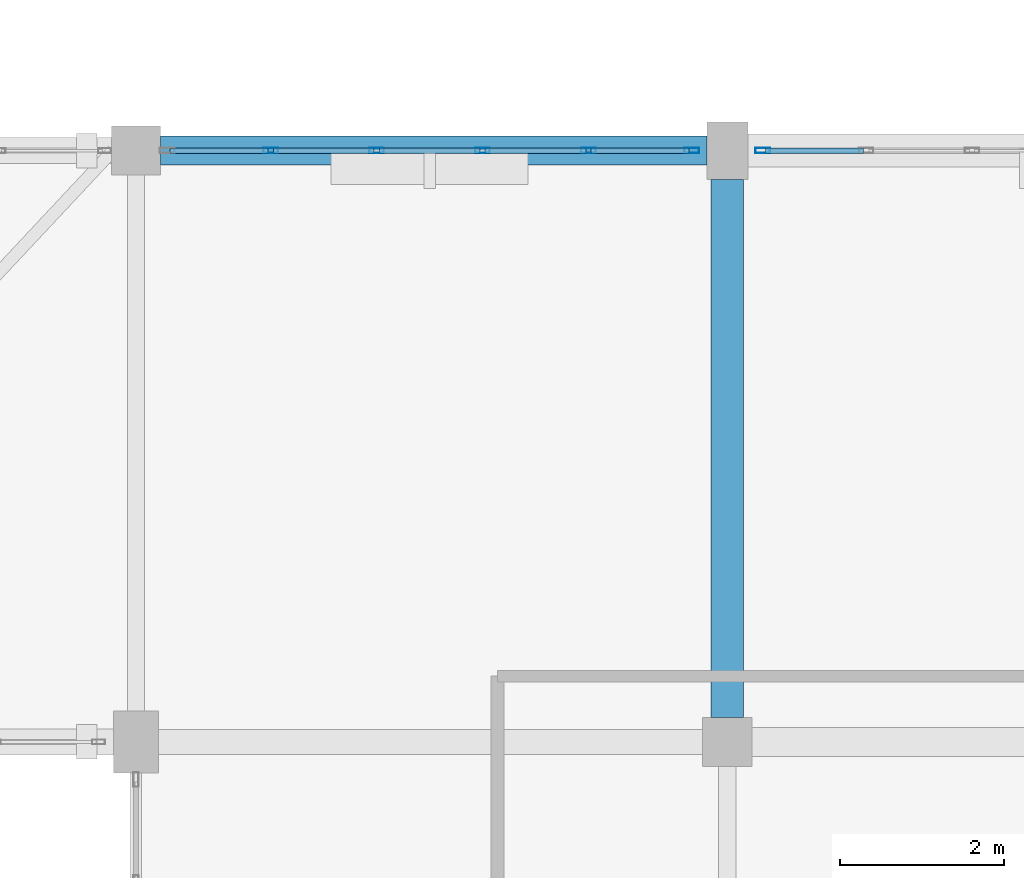
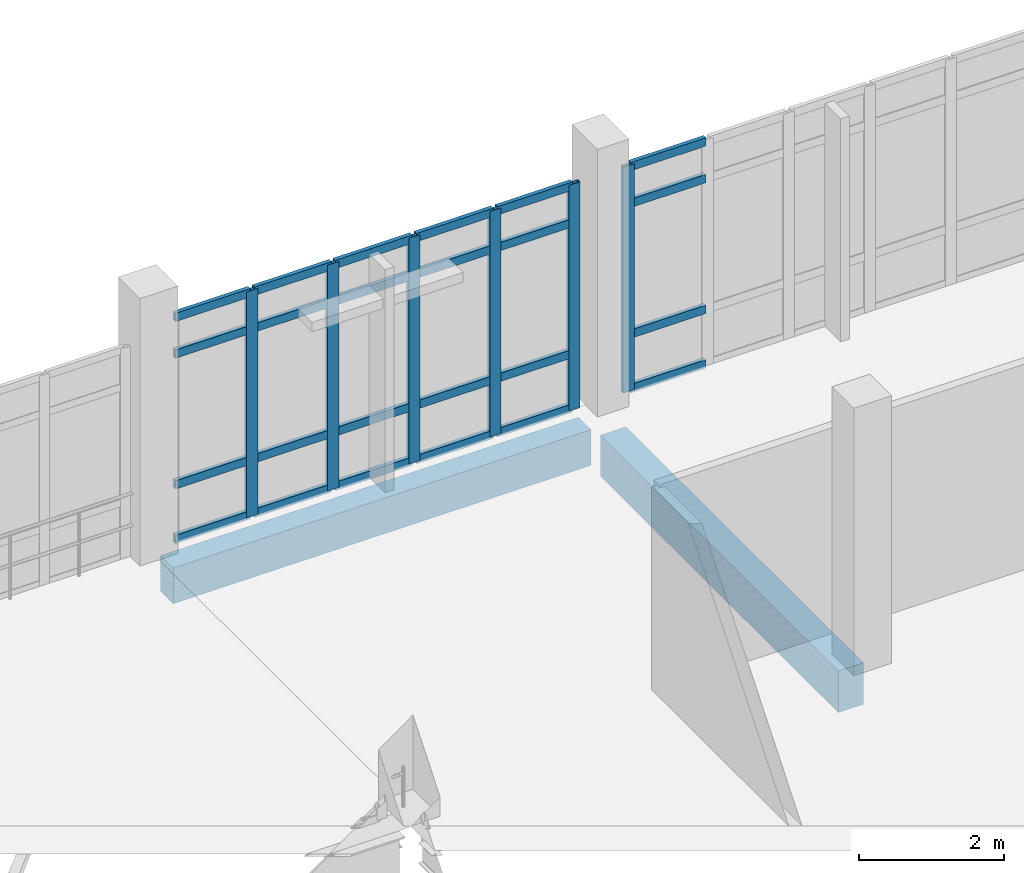
# One storey, part 50 of 124: 30 members, 2 beams, 2 elements without a shape of their own.
"""IFC4 building model written with IfcOpenShell, lengths in metres."""

import ifcopenshell
import ifcopenshell.guid

model = None  # the IFC model being written
_history = None  # IfcOwnerHistory: only IFC2X3 demands one
_inside = {}  # id of a spatial element -> (the spatial element, [elements in it])
_under = {}  # id of a project, library or spatial element -> (it, [spatial elements below it])
_declared = {}  # id of a project -> (the project, [libraries it declares])
_typed = {}  # id of a type object -> (the type object, [elements of that type])
_made_of = {}  # id of a material, layer set ... -> (it, [elements and type objects made of it])


def new_model(schema):
    """Start an empty IFC model of exactly this schema.

    Asked for "IFC4X3", IfcOpenShell would pick the latest addendum, in which some entities
    have other attributes; the version numbers below select the first issue.
    IFC2X3 requires an IfcOwnerHistory on every rooted entity: one is made here for all.
    """
    global model, _history
    if schema == "IFC4X3":
        model = ifcopenshell.file(schema_version=(4, 3, 0, 0))
    else:
        model = ifcopenshell.file(schema=schema)
    _inside.clear()
    _under.clear()
    _declared.clear()
    _typed.clear()
    _made_of.clear()
    _history = None
    if model.schema == "IFC2X3":
        org = make("IfcOrganization", Name="unknown")
        user = make(
            "IfcPersonAndOrganization",
            ThePerson=make("IfcPerson", FamilyName="unknown"),
            TheOrganization=org,
        )
        app = make(
            "IfcApplication",
            ApplicationDeveloper=org,
            Version="unknown",
            ApplicationFullName="unknown",
            ApplicationIdentifier="unknown",
        )
        _history = make(
            "IfcOwnerHistory",
            OwningUser=user,
            OwningApplication=app,
            ChangeAction="ADDED",
            CreationDate=0,
        )
    return model


def make(cls, **values):
    """One entity of the class cls with the attributes given. An attribute that is None is left unset."""
    return model.create_entity(
        cls, **{name: value for name, value in values.items() if value is not None}
    )


def rooted(cls, **values):
    """An entity with a GlobalId (a new one), such as an element, a storey or a relation."""
    return make(cls, GlobalId=ifcopenshell.guid.new(), OwnerHistory=_history, **values)


def si_unit(unit_type, name, prefix=None):
    """IfcSIUnit, for example si_unit("LENGTHUNIT", "METRE", prefix="MILLI")."""
    return make("IfcSIUnit", UnitType=unit_type, Prefix=prefix, Name=name)


def assignment(units):
    """IfcUnitAssignment: the units of a project."""
    return None if units is None else make("IfcUnitAssignment", Units=units)


def point(xyz):
    """IfcCartesianPoint."""
    return None if xyz is None else make("IfcCartesianPoint", Coordinates=xyz)


def direction(xyz):
    """IfcDirection."""
    return None if xyz is None else make("IfcDirection", DirectionRatios=xyz)


def frame(location, z_axis=None, x_axis=None):
    """IfcAxis2Placement3D, a coordinate frame: its origin and axes. An axis left out is left unset."""
    return make(
        "IfcAxis2Placement3D",
        Location=point(location),
        Axis=direction(z_axis),
        RefDirection=direction(x_axis),
    )


def frame_2d(location, x_axis=None):
    """IfcAxis2Placement2D, a coordinate frame in the plane: its origin and x axis."""
    return make(
        "IfcAxis2Placement2D", Location=point(location), RefDirection=direction(x_axis)
    )


def origin():
    """The frame at (0, 0, 0) with its axes left unset."""
    return frame((0.0, 0.0, 0.0))


def origin_2d():
    """The frame at (0, 0) in the plane with its x axis left unset."""
    return frame_2d((0.0, 0.0))


def place(relative_to, where):
    """IfcLocalPlacement: puts the frame where relative to a parent placement (None: the world)."""
    return make(
        "IfcLocalPlacement", PlacementRelTo=relative_to, RelativePlacement=where
    )


def context(
    kind, dimensions, precision=None, world=None, true_north=None, identifier=None
):
    """IfcGeometricRepresentationContext, for example the 3D "Model" context."""
    return make(
        "IfcGeometricRepresentationContext",
        ContextIdentifier=identifier,
        ContextType=kind,
        CoordinateSpaceDimension=dimensions,
        Precision=precision,
        WorldCoordinateSystem=world,
        TrueNorth=true_north,
    )


def subcontext(parent, identifier, kind, view, scale=None):
    """IfcGeometricRepresentationSubContext, for example "Body" below "Model"."""
    return make(
        "IfcGeometricRepresentationSubContext",
        ContextIdentifier=identifier,
        ContextType=kind,
        ParentContext=parent,
        TargetScale=scale,
        TargetView=view,
    )


def project(units=None, contexts=None):
    """IfcProject with its units and contexts."""
    return rooted(
        "IfcProject",
        Name="project",
        RepresentationContexts=contexts,
        UnitsInContext=assignment(units),
    )


def spatial(cls, under=None, at=None, **own):
    """A site, building, storey or space (cls), placed at a placement, below another one or the project."""
    s = rooted(cls, ObjectPlacement=at, **own)
    if under is not None:
        _under.setdefault(under.id(), (under, []))[1].append(s)
    return s


def profile(cls, at=None, kind="AREA", **sizes):
    """A parametric profile (cls). Its sizes go by their IFC names, for example OverallWidth=200.0."""
    return make(cls, ProfileType=kind, Position=at, **sizes)


def rectangle(**sizes):
    """IfcRectangleProfileDef."""
    return profile("IfcRectangleProfileDef", **sizes)


def hollow_rectangle(**sizes):
    """IfcRectangleHollowProfileDef."""
    return profile("IfcRectangleHollowProfileDef", **sizes)


def extrude(swept, where, along, depth):
    """IfcExtrudedAreaSolid: the profile swept, set in the frame where, extruded along a direction by depth."""
    return make(
        "IfcExtrudedAreaSolid",
        SweptArea=swept,
        Position=where,
        ExtrudedDirection=direction(along),
        Depth=depth,
    )


def shape(context_of_items, identifier, shape_type, items):
    """IfcShapeRepresentation: the items that make up one representation, for example the "Body"."""
    return make(
        "IfcShapeRepresentation",
        ContextOfItems=context_of_items,
        RepresentationIdentifier=identifier,
        RepresentationType=shape_type,
        Items=items,
    )


def material(Name=None, Category=None):
    """IfcMaterial."""
    return make("IfcMaterial", Name=Name, Category=Category)


def material_profile(
    of_material, cross_section, Name=None, Category=None, Priority=None
):
    """IfcMaterialProfile: a cross section and its material."""
    return make(
        "IfcMaterialProfile",
        Name=Name,
        Material=of_material,
        Profile=cross_section,
        Priority=Priority,
        Category=Category,
    )


def profile_set(profiles, Name=None, composite=None):
    """IfcMaterialProfileSet."""
    return make(
        "IfcMaterialProfileSet",
        Name=Name,
        MaterialProfiles=profiles,
        CompositeProfile=composite,
    )


def made_of(thing, what):
    """Note that an element or type object is made of a material, layer set ...; save() writes the relation."""
    if what is not None:
        _made_of.setdefault(what.id(), (what, []))[1].append(thing)
    return thing


def type_object(cls, material=None, **own):
    """A type object (cls), such as IfcWallType, which elements share."""
    return made_of(rooted(cls, **own), material)


def element(
    cls,
    number,
    at=None,
    inside=None,
    cuts=None,
    type_object=None,
    material=None,
    context=None,
    identifier="Body",
    shape_type=None,
    held_by="IfcProductDefinitionShape",
    body=None,
    shapes=None,
    **own,
):
    """One element of the class cls, such as IfcWall. Its Tag is "e" and its number.

    at: its placement. inside: the storey or other place that contains it. cuts: it is an
    opening in that element (IfcRelVoidsElement). A single representation is given by context,
    identifier, shape_type and body (its items); several are given by shapes. held_by: the class
    of the entity that holds the representations. save() writes the other relations.
    """
    e = rooted(cls, Tag="e%d" % number, ObjectPlacement=at, **own)
    if body is not None:
        shapes = [shape(context, identifier, shape_type, body)]
    if shapes is not None:
        e.Representation = make(held_by, Representations=shapes)
    if inside is not None:
        _inside.setdefault(inside.id(), (inside, []))[1].append(e)
    if cuts is not None:
        rooted(
            "IfcRelVoidsElement", RelatingBuildingElement=cuts, RelatedOpeningElement=e
        )
    if type_object is not None:
        _typed.setdefault(type_object.id(), (type_object, []))[1].append(e)
    return made_of(e, material)


def aggregate(whole, parts):
    """IfcRelAggregates: a whole, such as a stair, and the parts it consists of."""
    return rooted("IfcRelAggregates", RelatingObject=whole, RelatedObjects=parts)


def save(model, path):
    """Write the relations noted so far, then the file.

    IfcRelAggregates (storeys below a building ...), IfcRelContainedInSpatialStructure (elements
    in a storey), IfcRelDefinesByType, IfcRelAssociatesMaterial and IfcRelDeclares: one each for
    every whole, place, type object, material and project.
    """
    for whole, parts in _under.values():
        aggregate(whole, parts)
    for where, things in _inside.values():
        rooted(
            "IfcRelContainedInSpatialStructure",
            RelatedElements=things,
            RelatingStructure=where,
        )
    for kind, things in _typed.values():
        rooted("IfcRelDefinesByType", RelatedObjects=things, RelatingType=kind)
    for what, things in _made_of.values():
        rooted("IfcRelAssociatesMaterial", RelatedObjects=things, RelatingMaterial=what)
    for by, libraries in _declared.values():
        rooted("IfcRelDeclares", RelatingContext=by, RelatedDefinitions=libraries)
    model.write(path)


model = new_model("IFC4")

# Units and contexts
model_context = context("Model", 3, precision=1e-05, world=origin(), true_north=direction((0.0, 1.0)))
body_context = subcontext(model_context, "Body", "Model", "MODEL_VIEW")
ifc_project = project(units=[si_unit("LENGTHUNIT", "METRE"), si_unit("AREAUNIT", "SQUARE_METRE"), si_unit("VOLUMEUNIT", "CUBIC_METRE"), si_unit("PLANEANGLEUNIT", "RADIAN"), si_unit("MASSUNIT", "GRAM", prefix="KILO")], contexts=[model_context])

# Site, building, storey
site_placement = place(None, origin())
site = spatial("IfcSite", under=ifc_project, at=site_placement, CompositionType="ELEMENT")
building_placement = place(site_placement, origin())
building = spatial("IfcBuilding", under=site, at=building_placement, Name="Kalluvel Institute of Natural Sciences", CompositionType="ELEMENT")
storey_placement = place(building_placement, frame((0.0, 0.0, 9.89990234375)))
storey = spatial("IfcBuildingStorey", under=building, at=storey_placement, Name="L02", CompositionType="ELEMENT", Elevation=9.89990234375)

# Beam
ifc_material_1 = material(Name="Concrete M40", Category="concrete")
ifc_material_profile_1 = material_profile(ifc_material_1, rectangle(XDim=0.39990234375, YDim=0.699951171875, at=origin_2d()), Name="RCB 400x700")
ifc_profile_set_1 = profile_set([ifc_material_profile_1], Name="Concrete M40")
beam_type_1 = type_object("IfcBeamType", Name="BM-RC400x700", PredefinedType="BEAM", material=ifc_profile_set_1)
beam_1_placement = place(storey_placement, frame((107.60009765625, 28.699951171875, -0.669921875), z_axis=(0.0, 1.0, 0.0), x_axis=(-1.0, 0.0, 0.0)))
element("IfcBeam", 1, at=beam_1_placement, inside=storey, type_object=beam_type_1, Name="L02 girder GIR-L02-NS-X1076-Y284", PredefinedType="BEAM", context=body_context, shape_type="SweptSolid", body=[
    extrude(rectangle(XDim=0.39990234375, YDim=0.699951171875, at=origin_2d()), origin(), (0.0, 0.0, 1.0), 6.550048828125),
])

# Curtain wall, members
ifc_material_2 = material(Name="Aluminium AW-6063 T6", Category="aluminium")
curtain_wall_type = type_object("IfcCurtainWallType", Name="CW-SPAV-45", PredefinedType="USERDEFINED", material=ifc_material_2)
curtain_wall_1_placement = place(storey_placement, origin())
curtain_wall_1 = element("IfcCurtainWall", 2, at=curtain_wall_1_placement, inside=storey, type_object=curtain_wall_type, Name="L02 Gothic lancet curtain wall CWA-L02-X1008-Y356", ObjectType="UNITISED LANCET FACADE", PredefinedType="USERDEFINED")
ifc_material_profile_2 = material_profile(ifc_material_2, hollow_rectangle(XDim=0.06494140625, YDim=0.179931640625, WallThickness=0.00439453125, at=origin_2d()), Name="CWM 65x180")
ifc_profile_set_2 = profile_set([ifc_material_profile_2], Name="Aluminium AW-6063 T6")
member_type_1 = type_object("IfcMemberType", Name="CWM-65x180", PredefinedType="MULLION", material=ifc_profile_set_2)
member_1_placement = place(storey_placement, frame((102.0400390625, 35.60009765625, 0.0), z_axis=(0.0, 0.0, 1.0), x_axis=(0.0, 1.0, 0.0)))
member_1 = element("IfcMember", 3, at=member_1_placement, type_object=member_type_1, Name="CW-10 mullion 2", PredefinedType="MULLION", context=body_context, shape_type="SweptSolid", body=[
    extrude(hollow_rectangle(XDim=0.06494140625, YDim=0.179931640625, WallThickness=0.00439453125, at=origin_2d()), origin(), (0.0, 0.0, 1.0), 3.800048828125),
])
member_2_placement = place(storey_placement, frame((103.330078125, 35.60009765625, 0.0), z_axis=(0.0, 0.0, 1.0), x_axis=(0.0, 1.0, 0.0)))
member_2 = element("IfcMember", 4, at=member_2_placement, type_object=member_type_1, Name="CW-10 mullion 3", PredefinedType="MULLION", context=body_context, shape_type="SweptSolid", body=[
    extrude(hollow_rectangle(XDim=0.06494140625, YDim=0.179931640625, WallThickness=0.00439453125, at=origin_2d()), origin(), (0.0, 0.0, 1.0), 3.800048828125),
])
member_3_placement = place(storey_placement, frame((104.6201171875, 35.60009765625, 0.0), z_axis=(0.0, 0.0, 1.0), x_axis=(0.0, 1.0, 0.0)))
member_3 = element("IfcMember", 5, at=member_3_placement, type_object=member_type_1, Name="CW-10 mullion 4", PredefinedType="MULLION", context=body_context, shape_type="SweptSolid", body=[
    extrude(hollow_rectangle(XDim=0.06494140625, YDim=0.179931640625, WallThickness=0.00439453125, at=origin_2d()), origin(), (0.0, 0.0, 1.0), 3.800048828125),
])
member_4_placement = place(storey_placement, frame((105.909912109375, 35.60009765625, 0.0), z_axis=(0.0, 0.0, 1.0), x_axis=(0.0, 1.0, 0.0)))
member_4 = element("IfcMember", 6, at=member_4_placement, type_object=member_type_1, Name="CW-10 mullion 5", PredefinedType="MULLION", context=body_context, shape_type="SweptSolid", body=[
    extrude(hollow_rectangle(XDim=0.06494140625, YDim=0.179931640625, WallThickness=0.00439453125, at=origin_2d()), origin(), (0.0, 0.0, 1.0), 3.800048828125),
])
member_5_placement = place(storey_placement, frame((107.16748046875, 35.60009765625, 0.0), z_axis=(0.0, 0.0, 1.0), x_axis=(0.0, 1.0, 0.0)))
member_5 = element("IfcMember", 7, at=member_5_placement, type_object=member_type_1, Name="CW-10 mullion 6", PredefinedType="MULLION", context=body_context, shape_type="SweptSolid", body=[
    extrude(hollow_rectangle(XDim=0.06494140625, YDim=0.179931640625, WallThickness=0.00439453125, at=origin_2d()), origin(), (0.0, 0.0, 1.0), 3.800048828125),
])

# Curtain wall, member
curtain_wall_2_placement = place(storey_placement, origin())
curtain_wall_2 = element("IfcCurtainWall", 8, at=curtain_wall_2_placement, inside=storey, type_object=curtain_wall_type, Name="L02 Gothic lancet curtain wall CWA-L02-X1080-Y356", ObjectType="UNITISED LANCET FACADE", PredefinedType="USERDEFINED")
member_6_placement = place(storey_placement, frame((108.032470703125, 35.60009765625, 0.0), z_axis=(0.0, 0.0, 1.0), x_axis=(0.0, 1.0, 0.0)))
member_6 = element("IfcMember", 9, at=member_6_placement, type_object=member_type_1, Name="CW-10 mullion 1", PredefinedType="MULLION", context=body_context, shape_type="SweptSolid", body=[
    extrude(hollow_rectangle(XDim=0.06494140625, YDim=0.179931640625, WallThickness=0.00439453125, at=origin_2d()), origin(), (0.0, 0.0, 1.0), 3.800048828125),
])

# Member
ifc_material_profile_3 = material_profile(ifc_material_2, hollow_rectangle(XDim=0.06494140625, YDim=0.139892578125, WallThickness=0.00439453125, at=origin_2d()), Name="CWT 65x140")
ifc_profile_set_3 = profile_set([ifc_material_profile_3], Name="Aluminium AW-6063 T6")
member_type_2 = type_object("IfcMemberType", Name="CWT-65x140", PredefinedType="USERDEFINED", material=ifc_profile_set_3)
member_7_placement = place(storey_placement, frame((100.81494140625, 35.60009765625, 0.03271484375), z_axis=(1.0, 0.0, 0.0), x_axis=(0.0, 1.0, 0.0)))
member_7 = element("IfcMember", 10, at=member_7_placement, type_object=member_type_2, Name="CW-10 transom 1.1", ObjectType="TRANSOM", PredefinedType="USERDEFINED", context=body_context, shape_type="SweptSolid", body=[
    extrude(hollow_rectangle(XDim=0.06494140625, YDim=0.139892578125, WallThickness=0.00439453125, at=origin_2d()), origin(), (0.0, 0.0, 1.0), 1.192626953125),
])

member_8_placement = place(storey_placement, frame((100.81494140625, 35.60009765625, 0.9501953125), z_axis=(1.0, 0.0, 0.0), x_axis=(0.0, 1.0, 0.0)))
member_8 = element("IfcMember", 11, at=member_8_placement, type_object=member_type_2, Name="CW-10 transom 1.2", ObjectType="TRANSOM", PredefinedType="USERDEFINED", context=body_context, shape_type="SweptSolid", body=[
    extrude(hollow_rectangle(XDim=0.06494140625, YDim=0.139892578125, WallThickness=0.00439453125, at=origin_2d()), origin(), (0.0, 0.0, 1.0), 1.192626953125),
])

member_9_placement = place(storey_placement, frame((100.81494140625, 35.60009765625, 3.150146484375), z_axis=(1.0, 0.0, 0.0), x_axis=(0.0, 1.0, 0.0)))
member_9 = element("IfcMember", 12, at=member_9_placement, type_object=member_type_2, Name="CW-10 transom 1.3", ObjectType="TRANSOM", PredefinedType="USERDEFINED", context=body_context, shape_type="SweptSolid", body=[
    extrude(hollow_rectangle(XDim=0.06494140625, YDim=0.139892578125, WallThickness=0.00439453125, at=origin_2d()), origin(), (0.0, 0.0, 1.0), 1.192626953125),
])

member_10_placement = place(storey_placement, frame((100.81494140625, 35.60009765625, 3.767578125), z_axis=(1.0, 0.0, 0.0), x_axis=(0.0, 1.0, 0.0)))
member_10 = element("IfcMember", 13, at=member_10_placement, type_object=member_type_2, Name="CW-10 transom 1.4", ObjectType="TRANSOM", PredefinedType="USERDEFINED", context=body_context, shape_type="SweptSolid", body=[
    extrude(hollow_rectangle(XDim=0.06494140625, YDim=0.139892578125, WallThickness=0.00439453125, at=origin_2d()), origin(), (0.0, 0.0, 1.0), 1.192626953125),
])

member_11_placement = place(storey_placement, frame((102.072509765625, 35.60009765625, 0.03271484375), z_axis=(1.0, 0.0, 0.0), x_axis=(0.0, 1.0, 0.0)))
member_11 = element("IfcMember", 14, at=member_11_placement, type_object=member_type_2, Name="CW-10 transom 2.1", ObjectType="TRANSOM", PredefinedType="USERDEFINED", context=body_context, shape_type="SweptSolid", body=[
    extrude(hollow_rectangle(XDim=0.06494140625, YDim=0.139892578125, WallThickness=0.00439453125, at=origin_2d()), origin(), (0.0, 0.0, 1.0), 1.22509765625),
])

member_12_placement = place(storey_placement, frame((102.072509765625, 35.60009765625, 0.9501953125), z_axis=(1.0, 0.0, 0.0), x_axis=(0.0, 1.0, 0.0)))
member_12 = element("IfcMember", 15, at=member_12_placement, type_object=member_type_2, Name="CW-10 transom 2.2", ObjectType="TRANSOM", PredefinedType="USERDEFINED", context=body_context, shape_type="SweptSolid", body=[
    extrude(hollow_rectangle(XDim=0.06494140625, YDim=0.139892578125, WallThickness=0.00439453125, at=origin_2d()), origin(), (0.0, 0.0, 1.0), 1.22509765625),
])

member_13_placement = place(storey_placement, frame((102.072509765625, 35.60009765625, 3.150146484375), z_axis=(1.0, 0.0, 0.0), x_axis=(0.0, 1.0, 0.0)))
member_13 = element("IfcMember", 16, at=member_13_placement, type_object=member_type_2, Name="CW-10 transom 2.3", ObjectType="TRANSOM", PredefinedType="USERDEFINED", context=body_context, shape_type="SweptSolid", body=[
    extrude(hollow_rectangle(XDim=0.06494140625, YDim=0.139892578125, WallThickness=0.00439453125, at=origin_2d()), origin(), (0.0, 0.0, 1.0), 1.22509765625),
])

member_14_placement = place(storey_placement, frame((102.072509765625, 35.60009765625, 3.767578125), z_axis=(1.0, 0.0, 0.0), x_axis=(0.0, 1.0, 0.0)))
member_14 = element("IfcMember", 17, at=member_14_placement, type_object=member_type_2, Name="CW-10 transom 2.4", ObjectType="TRANSOM", PredefinedType="USERDEFINED", context=body_context, shape_type="SweptSolid", body=[
    extrude(hollow_rectangle(XDim=0.06494140625, YDim=0.139892578125, WallThickness=0.00439453125, at=origin_2d()), origin(), (0.0, 0.0, 1.0), 1.22509765625),
])

member_15_placement = place(storey_placement, frame((103.362548828125, 35.60009765625, 0.03271484375), z_axis=(1.0, 0.0, 0.0), x_axis=(0.0, 1.0, 0.0)))
member_15 = element("IfcMember", 18, at=member_15_placement, type_object=member_type_2, Name="CW-10 transom 3.1", ObjectType="TRANSOM", PredefinedType="USERDEFINED", context=body_context, shape_type="SweptSolid", body=[
    extrude(hollow_rectangle(XDim=0.06494140625, YDim=0.139892578125, WallThickness=0.00439453125, at=origin_2d()), origin(), (0.0, 0.0, 1.0), 1.224853515625),
])

member_16_placement = place(storey_placement, frame((103.362548828125, 35.60009765625, 0.9501953125), z_axis=(1.0, 0.0, 0.0), x_axis=(0.0, 1.0, 0.0)))
member_16 = element("IfcMember", 19, at=member_16_placement, type_object=member_type_2, Name="CW-10 transom 3.2", ObjectType="TRANSOM", PredefinedType="USERDEFINED", context=body_context, shape_type="SweptSolid", body=[
    extrude(hollow_rectangle(XDim=0.06494140625, YDim=0.139892578125, WallThickness=0.00439453125, at=origin_2d()), origin(), (0.0, 0.0, 1.0), 1.224853515625),
])

member_17_placement = place(storey_placement, frame((103.362548828125, 35.60009765625, 3.150146484375), z_axis=(1.0, 0.0, 0.0), x_axis=(0.0, 1.0, 0.0)))
member_17 = element("IfcMember", 20, at=member_17_placement, type_object=member_type_2, Name="CW-10 transom 3.3", ObjectType="TRANSOM", PredefinedType="USERDEFINED", context=body_context, shape_type="SweptSolid", body=[
    extrude(hollow_rectangle(XDim=0.06494140625, YDim=0.139892578125, WallThickness=0.00439453125, at=origin_2d()), origin(), (0.0, 0.0, 1.0), 1.224853515625),
])

member_18_placement = place(storey_placement, frame((103.362548828125, 35.60009765625, 3.767578125), z_axis=(1.0, 0.0, 0.0), x_axis=(0.0, 1.0, 0.0)))
member_18 = element("IfcMember", 21, at=member_18_placement, type_object=member_type_2, Name="CW-10 transom 3.4", ObjectType="TRANSOM", PredefinedType="USERDEFINED", context=body_context, shape_type="SweptSolid", body=[
    extrude(hollow_rectangle(XDim=0.06494140625, YDim=0.139892578125, WallThickness=0.00439453125, at=origin_2d()), origin(), (0.0, 0.0, 1.0), 1.224853515625),
])

member_19_placement = place(storey_placement, frame((104.652587890625, 35.60009765625, 0.03271484375), z_axis=(1.0, 0.0, 0.0), x_axis=(0.0, 1.0, 0.0)))
member_19 = element("IfcMember", 22, at=member_19_placement, type_object=member_type_2, Name="CW-10 transom 4.1", ObjectType="TRANSOM", PredefinedType="USERDEFINED", context=body_context, shape_type="SweptSolid", body=[
    extrude(hollow_rectangle(XDim=0.06494140625, YDim=0.139892578125, WallThickness=0.00439453125, at=origin_2d()), origin(), (0.0, 0.0, 1.0), 1.224853515625),
])

member_20_placement = place(storey_placement, frame((104.652587890625, 35.60009765625, 0.9501953125), z_axis=(1.0, 0.0, 0.0), x_axis=(0.0, 1.0, 0.0)))
member_20 = element("IfcMember", 23, at=member_20_placement, type_object=member_type_2, Name="CW-10 transom 4.2", ObjectType="TRANSOM", PredefinedType="USERDEFINED", context=body_context, shape_type="SweptSolid", body=[
    extrude(hollow_rectangle(XDim=0.06494140625, YDim=0.139892578125, WallThickness=0.00439453125, at=origin_2d()), origin(), (0.0, 0.0, 1.0), 1.224853515625),
])

member_21_placement = place(storey_placement, frame((104.652587890625, 35.60009765625, 3.150146484375), z_axis=(1.0, 0.0, 0.0), x_axis=(0.0, 1.0, 0.0)))
member_21 = element("IfcMember", 24, at=member_21_placement, type_object=member_type_2, Name="CW-10 transom 4.3", ObjectType="TRANSOM", PredefinedType="USERDEFINED", context=body_context, shape_type="SweptSolid", body=[
    extrude(hollow_rectangle(XDim=0.06494140625, YDim=0.139892578125, WallThickness=0.00439453125, at=origin_2d()), origin(), (0.0, 0.0, 1.0), 1.224853515625),
])

member_22_placement = place(storey_placement, frame((104.652587890625, 35.60009765625, 3.767578125), z_axis=(1.0, 0.0, 0.0), x_axis=(0.0, 1.0, 0.0)))
member_22 = element("IfcMember", 25, at=member_22_placement, type_object=member_type_2, Name="CW-10 transom 4.4", ObjectType="TRANSOM", PredefinedType="USERDEFINED", context=body_context, shape_type="SweptSolid", body=[
    extrude(hollow_rectangle(XDim=0.06494140625, YDim=0.139892578125, WallThickness=0.00439453125, at=origin_2d()), origin(), (0.0, 0.0, 1.0), 1.224853515625),
])

member_23_placement = place(storey_placement, frame((105.9423828125, 35.60009765625, 0.03271484375), z_axis=(1.0, 0.0, 0.0), x_axis=(0.0, 1.0, 0.0)))
member_23 = element("IfcMember", 26, at=member_23_placement, type_object=member_type_2, Name="CW-10 transom 5.1", ObjectType="TRANSOM", PredefinedType="USERDEFINED", context=body_context, shape_type="SweptSolid", body=[
    extrude(hollow_rectangle(XDim=0.06494140625, YDim=0.139892578125, WallThickness=0.00439453125, at=origin_2d()), origin(), (0.0, 0.0, 1.0), 1.192626953125),
])

member_24_placement = place(storey_placement, frame((105.9423828125, 35.60009765625, 0.9501953125), z_axis=(1.0, 0.0, 0.0), x_axis=(0.0, 1.0, 0.0)))
member_24 = element("IfcMember", 27, at=member_24_placement, type_object=member_type_2, Name="CW-10 transom 5.2", ObjectType="TRANSOM", PredefinedType="USERDEFINED", context=body_context, shape_type="SweptSolid", body=[
    extrude(hollow_rectangle(XDim=0.06494140625, YDim=0.139892578125, WallThickness=0.00439453125, at=origin_2d()), origin(), (0.0, 0.0, 1.0), 1.192626953125),
])

member_25_placement = place(storey_placement, frame((105.9423828125, 35.60009765625, 3.150146484375), z_axis=(1.0, 0.0, 0.0), x_axis=(0.0, 1.0, 0.0)))
member_25 = element("IfcMember", 28, at=member_25_placement, type_object=member_type_2, Name="CW-10 transom 5.3", ObjectType="TRANSOM", PredefinedType="USERDEFINED", context=body_context, shape_type="SweptSolid", body=[
    extrude(hollow_rectangle(XDim=0.06494140625, YDim=0.139892578125, WallThickness=0.00439453125, at=origin_2d()), origin(), (0.0, 0.0, 1.0), 1.192626953125),
])

member_26_placement = place(storey_placement, frame((105.9423828125, 35.60009765625, 3.767578125), z_axis=(1.0, 0.0, 0.0), x_axis=(0.0, 1.0, 0.0)))
member_26 = element("IfcMember", 29, at=member_26_placement, type_object=member_type_2, Name="CW-10 transom 5.4", ObjectType="TRANSOM", PredefinedType="USERDEFINED", context=body_context, shape_type="SweptSolid", body=[
    extrude(hollow_rectangle(XDim=0.06494140625, YDim=0.139892578125, WallThickness=0.00439453125, at=origin_2d()), origin(), (0.0, 0.0, 1.0), 1.192626953125),
])

aggregate(curtain_wall_1, [member_1, member_2, member_3, member_4, member_5, member_7, member_8, member_9, member_10, member_11, member_12, member_13, member_14, member_15, member_16, member_17, member_18, member_19, member_20, member_21, member_22, member_23, member_24, member_25, member_26])

member_27_placement = place(storey_placement, frame((108.06494140625, 35.60009765625, 0.03271484375), z_axis=(1.0, 0.0, 0.0), x_axis=(0.0, 1.0, 0.0)))
member_27 = element("IfcMember", 30, at=member_27_placement, type_object=member_type_2, Name="CW-10 transom 1.1", ObjectType="TRANSOM", PredefinedType="USERDEFINED", context=body_context, shape_type="SweptSolid", body=[
    extrude(hollow_rectangle(XDim=0.06494140625, YDim=0.139892578125, WallThickness=0.00439453125, at=origin_2d()), origin(), (0.0, 0.0, 1.0), 1.192626953125),
])

member_28_placement = place(storey_placement, frame((108.06494140625, 35.60009765625, 0.9501953125), z_axis=(1.0, 0.0, 0.0), x_axis=(0.0, 1.0, 0.0)))
member_28 = element("IfcMember", 31, at=member_28_placement, type_object=member_type_2, Name="CW-10 transom 1.2", ObjectType="TRANSOM", PredefinedType="USERDEFINED", context=body_context, shape_type="SweptSolid", body=[
    extrude(hollow_rectangle(XDim=0.06494140625, YDim=0.139892578125, WallThickness=0.00439453125, at=origin_2d()), origin(), (0.0, 0.0, 1.0), 1.192626953125),
])

member_29_placement = place(storey_placement, frame((108.06494140625, 35.60009765625, 3.150146484375), z_axis=(1.0, 0.0, 0.0), x_axis=(0.0, 1.0, 0.0)))
member_29 = element("IfcMember", 32, at=member_29_placement, type_object=member_type_2, Name="CW-10 transom 1.3", ObjectType="TRANSOM", PredefinedType="USERDEFINED", context=body_context, shape_type="SweptSolid", body=[
    extrude(hollow_rectangle(XDim=0.06494140625, YDim=0.139892578125, WallThickness=0.00439453125, at=origin_2d()), origin(), (0.0, 0.0, 1.0), 1.192626953125),
])

member_30_placement = place(storey_placement, frame((108.06494140625, 35.60009765625, 3.767578125), z_axis=(1.0, 0.0, 0.0), x_axis=(0.0, 1.0, 0.0)))
member_30 = element("IfcMember", 33, at=member_30_placement, type_object=member_type_2, Name="CW-10 transom 1.4", ObjectType="TRANSOM", PredefinedType="USERDEFINED", context=body_context, shape_type="SweptSolid", body=[
    extrude(hollow_rectangle(XDim=0.06494140625, YDim=0.139892578125, WallThickness=0.00439453125, at=origin_2d()), origin(), (0.0, 0.0, 1.0), 1.192626953125),
])

aggregate(curtain_wall_2, [member_6, member_27, member_28, member_29, member_30])

# Beam
ifc_material_profile_4 = material_profile(ifc_material_1, rectangle(XDim=0.35009765625, YDim=0.60009765625, at=origin_2d()), Name="RCB 350x600")
ifc_profile_set_4 = profile_set([ifc_material_profile_4], Name="Concrete M40")
beam_type_2 = type_object("IfcBeamType", Name="SP-RC350x600", PredefinedType="SPANDREL", material=ifc_profile_set_4)
beam_2_placement = place(storey_placement, frame((100.699951171875, 35.60009765625, -0.619873046875), z_axis=(1.0, 0.0, 0.0), x_axis=(0.0, 1.0, 0.0)))
element("IfcBeam", 34, at=beam_2_placement, inside=storey, type_object=beam_type_2, Name="L02 girder GIR-L02-EW-X1004-Y356", PredefinedType="SPANDREL", context=body_context, shape_type="SweptSolid", body=[
    extrude(rectangle(XDim=0.35009765625, YDim=0.60009765625, at=origin_2d()), origin(), (0.0, 0.0, 1.0), 6.650146484375),
])

save(model, "model.ifc")
